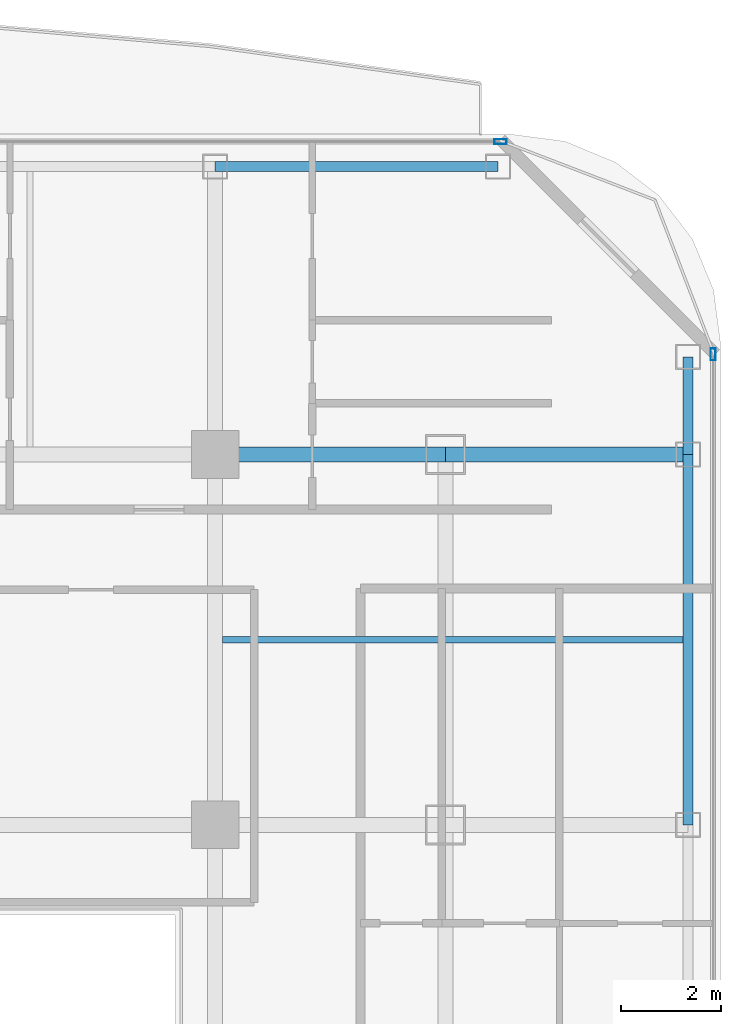
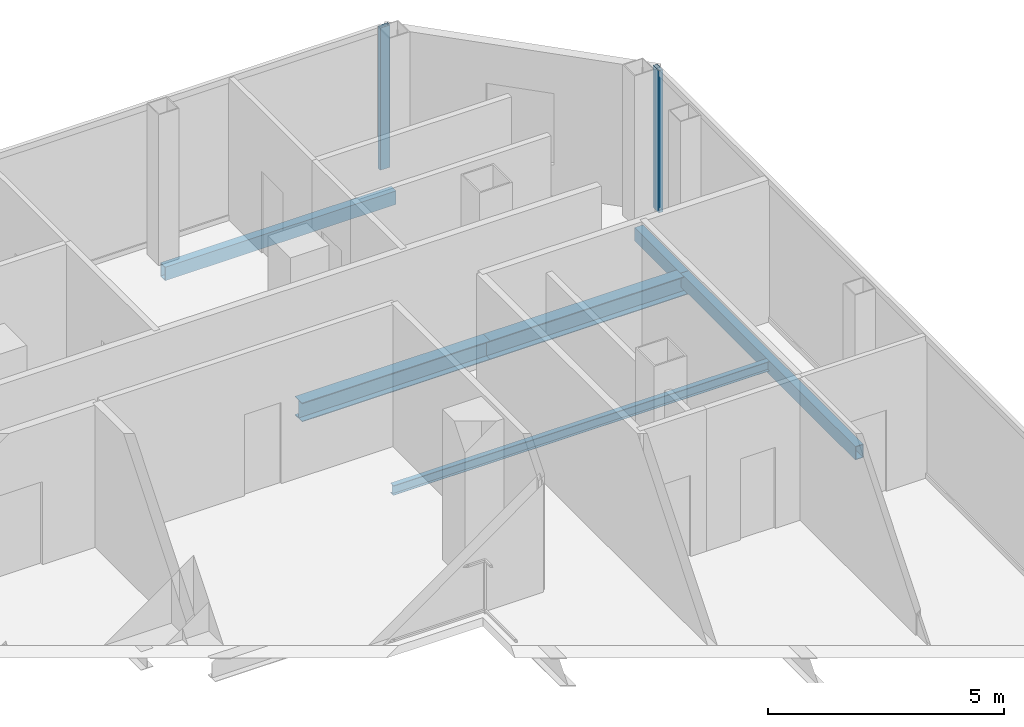
# One storey, part 14 of 22: 6 beams, 2 members, 2 elements without a shape of their own.
"""IFC4 building model written with IfcOpenShell, lengths in metres."""

from ifc_helpers import new_model, si_unit, direction, frame, origin, origin_2d, place, context, subcontext, project, spatial, hollow_rectangle, i_section, extrude, material, layer, layer_set, material_profile, profile_set, type_object, element, aggregate, save


model = new_model("IFC4")

# Units and contexts
model_context = context("Model", 3, precision=1e-05, world=origin(), true_north=direction((0.0, 1.0)))
body_context = subcontext(model_context, "Body", "Model", "MODEL_VIEW")
ifc_project = project(units=[si_unit("LENGTHUNIT", "METRE"), si_unit("AREAUNIT", "SQUARE_METRE"), si_unit("VOLUMEUNIT", "CUBIC_METRE"), si_unit("PLANEANGLEUNIT", "RADIAN"), si_unit("MASSUNIT", "GRAM", prefix="KILO")], contexts=[model_context])

# Site, building, storey
site_placement = place(None, origin())
site = spatial("IfcSite", under=ifc_project, at=site_placement, CompositionType="ELEMENT")
building_placement = place(site_placement, origin())
building = spatial("IfcBuilding", under=site, at=building_placement, Name="Khorvyn Point Tower", CompositionType="ELEMENT")
storey_placement = place(building_placement, frame((0.0, 0.0, 278.10009765625)))
storey = spatial("IfcBuildingStorey", under=building, at=storey_placement, Name="L68", CompositionType="ELEMENT", Elevation=278.10009765625)

# Curtain wall, member
ifc_material_1 = material(Name="Anodised aluminium 6063-T6 and laminated Low-E glass", Category="aluminium")
ifc_layer = layer(ifc_material_1, 0.18994140625)
ifc_layer_set = layer_set([ifc_layer], Name="Stick-Built High-Wind Curtain Wall CW-SYS-04")
curtain_wall_type = type_object("IfcCurtainWallType", Name="Stick-Built High-Wind Curtain Wall CW-SYS-04", PredefinedType="NOTDEFINED", material=ifc_layer_set)
curtain_wall_1_placement = place(storey_placement, origin())
curtain_wall_1 = element("IfcCurtainWall", 1, at=curtain_wall_1_placement, inside=storey, type_object=curtain_wall_type, Name="Curtain Wall", PredefinedType="NOTDEFINED")
ifc_material_2 = material(Name="Anodised aluminium 6063-T6", Category="aluminium")
ifc_material_profile_1 = material_profile(ifc_material_2, hollow_rectangle(XDim=0.10009765625, YDim=0.239990234375, WallThickness=0.0048828125, at=origin_2d()))
ifc_profile_set_1 = profile_set([ifc_material_profile_1], Name="Anodised aluminium 6063-T6 ALU-MUL-100x240")
member_type = type_object("IfcMemberType", Name="Anodised Aluminium 6063-T6 Mullion ALU-MUL-100x240", PredefinedType="MULLION", material=ifc_profile_set_1)
member_1_placement = place(storey_placement, frame((20.5, 21.050048828125, 0.0), z_axis=(0.0, 0.0, 1.0), x_axis=(0.0, 1.0, 0.0)))
member_1 = element("IfcMember", 2, at=member_1_placement, type_object=member_type, Name="Transom", PredefinedType="MULLION", context=body_context, shape_type="SweptSolid", body=[
    extrude(hollow_rectangle(XDim=0.10009765625, YDim=0.239990234375, WallThickness=0.0048828125, at=origin_2d()), origin(), (0.0, 0.0, 1.0), 3.679931640625),
])
aggregate(curtain_wall_1, [member_1])

curtain_wall_2_placement = place(storey_placement, origin())
curtain_wall_2 = element("IfcCurtainWall", 3, at=curtain_wall_2_placement, inside=storey, type_object=curtain_wall_type, Name="Curtain Wall", PredefinedType="NOTDEFINED")
member_2_placement = place(storey_placement, frame((24.75, 16.800048828125, 0.0), z_axis=(0.0, 0.0, 1.0), x_axis=(1.0, 0.0, 0.0)))
member_2 = element("IfcMember", 4, at=member_2_placement, type_object=member_type, Name="Transom", PredefinedType="MULLION", context=body_context, shape_type="SweptSolid", body=[
    extrude(hollow_rectangle(XDim=0.10009765625, YDim=0.239990234375, WallThickness=0.0048828125, at=origin_2d()), origin(), (0.0, 0.0, 1.0), 3.679931640625),
])
aggregate(curtain_wall_2, [member_2])

# Beams
ifc_material_3 = material(Name="Steel S355", Category="steel")
ifc_material_profile_2 = material_profile(ifc_material_3, i_section(OverallWidth=0.125, OverallDepth=0.25, WebThickness=0.006103515625, FlangeThickness=0.009033203125, at=origin_2d()))
ifc_profile_set_2 = profile_set([ifc_material_profile_2], Name="Steel S355 H250x125x6x9")
beam_type_1 = type_object("IfcBeamType", Name="Steel S355 Joist H250x125x6x9", PredefinedType="JOIST", material=ifc_profile_set_2)
beam_1_placement = place(storey_placement, frame((14.949951171875, 11.10009765625, -0.34521484375), z_axis=(1.0, 0.0, 0.0), x_axis=(0.0, 1.0, 0.0)))
element("IfcBeam", 5, at=beam_1_placement, inside=storey, type_object=beam_type_1, Name="Beam", PredefinedType="JOIST", context=body_context, shape_type="SweptSolid", body=[
    extrude(i_section(OverallWidth=0.125, OverallDepth=0.25, WebThickness=0.006103515625, FlangeThickness=0.009033203125, at=origin_2d()), origin(), (0.0, 0.0, 1.0), 9.199951171875),
])
ifc_material_profile_3 = material_profile(ifc_material_3, i_section(OverallWidth=0.300048828125, OverallDepth=0.488037109375, WebThickness=0.010986328125, FlangeThickness=0.01806640625, at=origin_2d()))
ifc_profile_set_3 = profile_set([ifc_material_profile_3], Name="Steel S355 H488x300x11x18")
beam_type_2 = type_object("IfcBeamType", Name="Steel S355 Spandrel H488x300x11x18", PredefinedType="SPANDREL", material=ifc_profile_set_3)
beam_2_placement = place(storey_placement, frame((14.800048828125, 14.800048828125, -0.464111328125), z_axis=(1.0, 0.0, 0.0), x_axis=(0.0, 1.0, 0.0)))
element("IfcBeam", 6, at=beam_2_placement, inside=storey, type_object=beam_type_2, Name="Beam", PredefinedType="SPANDREL", context=body_context, shape_type="SweptSolid", body=[
    extrude(i_section(OverallWidth=0.300048828125, OverallDepth=0.488037109375, WebThickness=0.010986328125, FlangeThickness=0.01806640625, at=origin_2d()), origin(), (0.0, 0.0, 1.0), 4.599853515625),
])
beam_3_placement = place(storey_placement, frame((19.39990234375, 14.800048828125, -0.464111328125), z_axis=(1.0, 0.0, 0.0), x_axis=(0.0, 1.0, 0.0)))
element("IfcBeam", 7, at=beam_3_placement, inside=storey, type_object=beam_type_2, Name="Beam", PredefinedType="SPANDREL", context=body_context, shape_type="SweptSolid", body=[
    extrude(i_section(OverallWidth=0.300048828125, OverallDepth=0.488037109375, WebThickness=0.010986328125, FlangeThickness=0.01806640625, at=origin_2d()), origin(), (0.0, 0.0, 1.0), 4.85009765625),
])
ifc_material_profile_4 = material_profile(ifc_material_3, hollow_rectangle(XDim=0.199951171875, YDim=0.35009765625, WallThickness=0.013916015625, at=origin_2d()))
ifc_profile_set_4 = profile_set([ifc_material_profile_4], Name="Steel S355 RHS350x200x14")
beam_type_3 = type_object("IfcBeamType", Name="Steel S355 Spandrel RHS350x200x14", PredefinedType="SPANDREL", material=ifc_profile_set_4)
beam_4_placement = place(storey_placement, frame((14.800048828125, 20.550048828125, -0.39501953125), z_axis=(1.0, 0.0, 0.0), x_axis=(0.0, 1.0, 0.0)))
element("IfcBeam", 8, at=beam_4_placement, inside=storey, type_object=beam_type_3, Name="Beam", PredefinedType="SPANDREL", context=body_context, shape_type="SweptSolid", body=[
    extrude(hollow_rectangle(XDim=0.199951171875, YDim=0.35009765625, WallThickness=0.013916015625, at=origin_2d()), origin(), (0.0, 0.0, 1.0), 5.64990234375),
])
beam_5_placement = place(storey_placement, frame((24.25, 7.39990234375, -0.39501953125), z_axis=(0.0, 1.0, 0.0), x_axis=(-1.0, 0.0, 0.0)))
element("IfcBeam", 9, at=beam_5_placement, inside=storey, type_object=beam_type_3, Name="Beam", PredefinedType="SPANDREL", context=body_context, shape_type="SweptSolid", body=[
    extrude(hollow_rectangle(XDim=0.199951171875, YDim=0.35009765625, WallThickness=0.013916015625, at=origin_2d()), origin(), (0.0, 0.0, 1.0), 7.400146484375),
])
beam_6_placement = place(storey_placement, frame((24.25, 14.800048828125, -0.39501953125), z_axis=(0.0, 1.0, 0.0), x_axis=(-1.0, 0.0, 0.0)))
element("IfcBeam", 10, at=beam_6_placement, inside=storey, type_object=beam_type_3, Name="Beam", PredefinedType="SPANDREL", context=body_context, shape_type="SweptSolid", body=[
    extrude(hollow_rectangle(XDim=0.199951171875, YDim=0.35009765625, WallThickness=0.013916015625, at=origin_2d()), origin(), (0.0, 0.0, 1.0), 1.949951171875),
])

save(model, "model.ifc")
